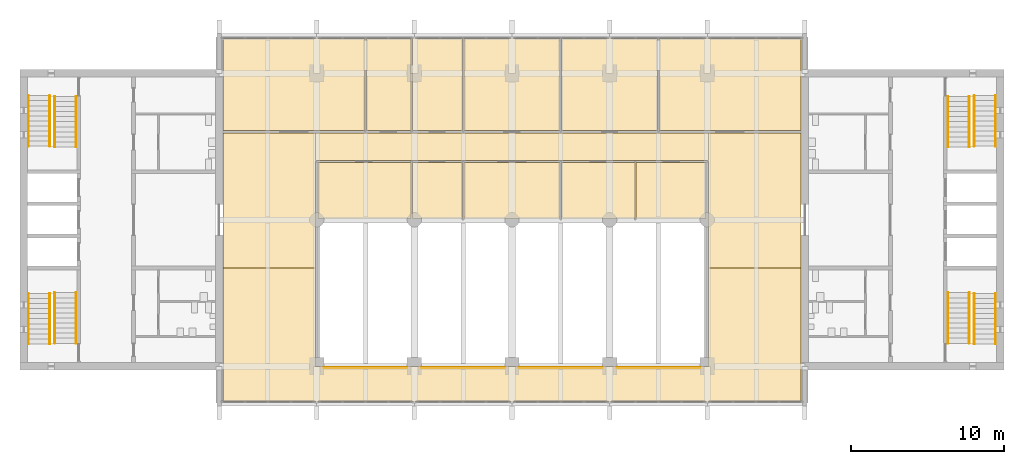
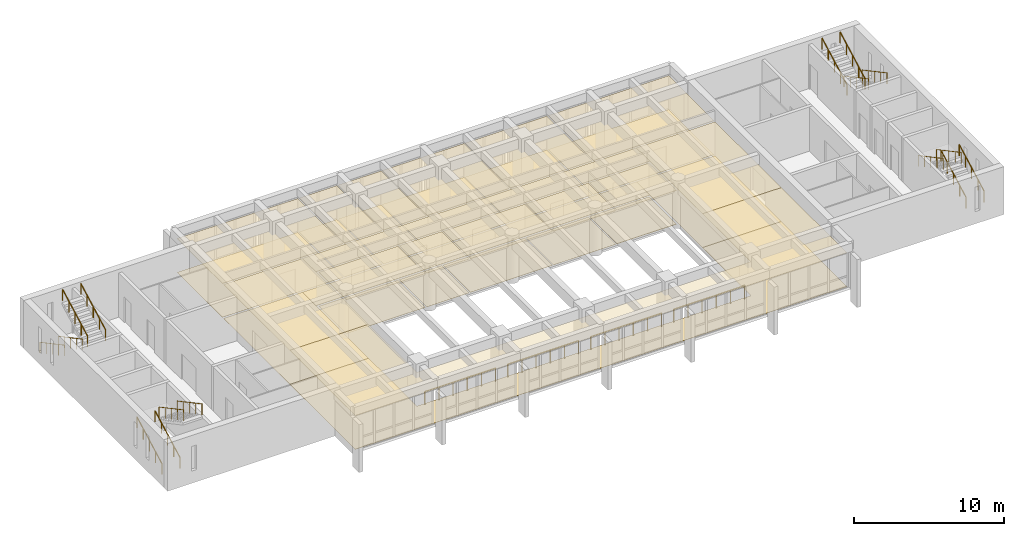
# One storey, part 14 of 15: 30 coverings, 20 railings.
"""IFC4 building model written with IfcOpenShell, lengths in metres."""

from ifc_helpers import new_model, si_unit, direction, frame, origin, origin_2d, place, context, subcontext, project, spatial, polyline, circle, outline, extrude, material, layer, layer_set, type_object, element, save


model = new_model("IFC4")

# Units and contexts
model_context = context("Model", 3, precision=1e-05, world=origin(), true_north=direction((0.0, 1.0)))
body_context = subcontext(model_context, "Body", "Model", "MODEL_VIEW")
ifc_project = project(units=[si_unit("LENGTHUNIT", "METRE"), si_unit("AREAUNIT", "SQUARE_METRE"), si_unit("VOLUMEUNIT", "CUBIC_METRE"), si_unit("PLANEANGLEUNIT", "RADIAN"), si_unit("MASSUNIT", "GRAM", prefix="KILO")], contexts=[model_context])

# Site, building, storey
site_placement = place(None, origin())
site = spatial("IfcSite", under=ifc_project, at=site_placement, CompositionType="ELEMENT")
building_placement = place(site_placement, origin())
building = spatial("IfcBuilding", under=site, at=building_placement, Name="Fogon Plaza Fire Station and Headquarters Tower", CompositionType="ELEMENT")
storey_placement = place(building_placement, frame((0.0, 0.0, 36.60009765625)))
storey = spatial("IfcBuildingStorey", under=building, at=storey_placement, Name="L09", CompositionType="ELEMENT", Elevation=36.60009765625)

# Railings
ifc_material_1 = material(Name="Stainless Steel", Category="steel")
railing_type_1 = type_object("IfcRailingType", Name="Guard Steel 1100", PredefinedType="GUARDRAIL", material=ifc_material_1)
for number, where, name in (
    (1, (32.47509765625, 33.5, 0.0), "Atrium guard 1"),
    (2, (38.875, 33.5, 0.0), "Atrium guard 2"),
):
    element("IfcRailing", number, at=place(storey_placement, frame(where)), inside=storey, type_object=railing_type_1, Name=name, PredefinedType="GUARDRAIL", context=body_context, shape_type="SweptSolid", body=[
        extrude(circle(Radius=0.02392578125, at=origin_2d()), frame((0.0, 0.0, 1.076171875), z_axis=(1.0, 0.0, 0.0), x_axis=(0.0, 1.0, 0.0)), (0.0, 0.0, 1.0), 5.449951171875),
        extrude(circle(Radius=0.02099609375, at=origin_2d()), origin(), (0.0, 0.0, 1.0), 1.052001953125),
        extrude(circle(Radius=0.02099609375, at=origin_2d()), frame((1.090087890625, 0.0, 0.0)), (0.0, 0.0, 1.0), 1.052001953125),
        extrude(circle(Radius=0.02099609375, at=origin_2d()), frame((2.179931640625, 0.0, 0.0)), (0.0, 0.0, 1.0), 1.052001953125),
        extrude(circle(Radius=0.02099609375, at=origin_2d()), frame((3.27001953125, 0.0, 0.0)), (0.0, 0.0, 1.0), 1.052001953125),
        extrude(circle(Radius=0.02099609375, at=origin_2d()), frame((4.35986328125, 0.0, 0.0)), (0.0, 0.0, 1.0), 1.052001953125),
        extrude(circle(Radius=0.02099609375, at=origin_2d()), frame((5.449951171875, 0.0, 0.0)), (0.0, 0.0, 1.0), 1.052001953125),
    ])
railing_1_placement = place(storey_placement, frame((45.27490234375, 33.5, 0.0)))
element("IfcRailing", 3, at=railing_1_placement, inside=storey, type_object=railing_type_1, Name="Atrium guard 3", PredefinedType="GUARDRAIL", context=body_context, shape_type="SweptSolid", body=[
    extrude(circle(Radius=0.02392578125, at=origin_2d()), frame((0.0, 0.0, 1.076171875), z_axis=(1.0, 0.0, 0.0), x_axis=(0.0, 1.0, 0.0)), (0.0, 0.0, 1.0), 5.4501953125),
    extrude(circle(Radius=0.02099609375, at=origin_2d()), origin(), (0.0, 0.0, 1.0), 1.052001953125),
    extrude(circle(Radius=0.02099609375, at=origin_2d()), frame((1.090087890625, 0.0, 0.0)), (0.0, 0.0, 1.0), 1.052001953125),
    extrude(circle(Radius=0.02099609375, at=origin_2d()), frame((2.18017578125, 0.0, 0.0)), (0.0, 0.0, 1.0), 1.052001953125),
    extrude(circle(Radius=0.02099609375, at=origin_2d()), frame((3.27001953125, 0.0, 0.0)), (0.0, 0.0, 1.0), 1.052001953125),
    extrude(circle(Radius=0.02099609375, at=origin_2d()), frame((4.360107421875, 0.0, 0.0)), (0.0, 0.0, 1.0), 1.052001953125),
    extrude(circle(Radius=0.02099609375, at=origin_2d()), frame((5.4501953125, 0.0, 0.0)), (0.0, 0.0, 1.0), 1.052001953125),
])
railing_2_placement = place(storey_placement, frame((51.675048828125, 33.5, 0.0)))
element("IfcRailing", 4, at=railing_2_placement, inside=storey, type_object=railing_type_1, Name="Atrium guard 4", PredefinedType="GUARDRAIL", context=body_context, shape_type="SweptSolid", body=[
    extrude(circle(Radius=0.02392578125, at=origin_2d()), frame((0.0, 0.0, 1.076171875), z_axis=(1.0, 0.0, 0.0), x_axis=(0.0, 1.0, 0.0)), (0.0, 0.0, 1.0), 5.449951171875),
    extrude(circle(Radius=0.02099609375, at=origin_2d()), origin(), (0.0, 0.0, 1.0), 1.052001953125),
    extrude(circle(Radius=0.02099609375, at=origin_2d()), frame((1.090087890625, 0.0, 0.0)), (0.0, 0.0, 1.0), 1.052001953125),
    extrude(circle(Radius=0.02099609375, at=origin_2d()), frame((2.179931640625, 0.0, 0.0)), (0.0, 0.0, 1.0), 1.052001953125),
    extrude(circle(Radius=0.02099609375, at=origin_2d()), frame((3.27001953125, 0.0, 0.0)), (0.0, 0.0, 1.0), 1.052001953125),
    extrude(circle(Radius=0.02099609375, at=origin_2d()), frame((4.35986328125, 0.0, 0.0)), (0.0, 0.0, 1.0), 1.052001953125),
    extrude(circle(Radius=0.02099609375, at=origin_2d()), frame((5.449951171875, 0.0, 0.0)), (0.0, 0.0, 1.0), 1.052001953125),
])
ifc_material_2 = material(Name="Steel", Category="steel")
railing_type_2 = type_object("IfcRailingType", Name="Stair Handrail 900", PredefinedType="HANDRAIL", material=ifc_material_2)
for number, where, name in (
    (5, (13.10009765625, 35.06005859375, 0.17724609375), "Handrail ST1"),
    (6, (14.5, 35.06005859375, 0.17724609375), "Handrail ST1"),
):
    element("IfcRailing", number, at=place(storey_placement, frame(where)), inside=storey, type_object=railing_type_2, Name=name, PredefinedType="HANDRAIL", context=body_context, shape_type="SweptSolid", body=[
        extrude(circle(Radius=0.02392578125, at=origin_2d()), frame((0.0, 0.0, 0.8759765625), z_axis=(0.0, 0.881829236777, 0.471568867892), x_axis=(-1.0, 0.0, 0.0)), (0.0, 0.0, 1.0), 3.75927734375),
        extrude(circle(Radius=0.02099609375, at=origin_2d()), origin(), (0.0, 0.0, 1.0), 0.851806640625),
        extrude(circle(Radius=0.02099609375, at=origin_2d()), frame((0.0, 0.82861328125, 0.443115234375)), (0.0, 0.0, 1.0), 0.851806640625),
        extrude(circle(Radius=0.02099609375, at=origin_2d()), frame((0.0, 1.657470703125, 0.88623046875)), (0.0, 0.0, 1.0), 0.851806640625),
        extrude(circle(Radius=0.02099609375, at=origin_2d()), frame((0.0, 2.486328125, 1.32958984375)), (0.0, 0.0, 1.0), 0.851806640625),
        extrude(circle(Radius=0.02099609375, at=origin_2d()), frame((0.0, 3.31494140625, 1.772705078125)), (0.0, 0.0, 1.0), 0.851806640625),
    ])
for number, where, name in (
    (7, (16.22509765625, 38.425048828125, 2.127197265625), "Handrail ST1"),
    (8, (14.824951171875, 38.425048828125, 2.127197265625), "Handrail ST1"),
):
    element("IfcRailing", number, at=place(storey_placement, frame(where)), inside=storey, type_object=railing_type_2, Name=name, PredefinedType="HANDRAIL", context=body_context, shape_type="SweptSolid", body=[
        extrude(circle(Radius=0.02392578125, at=origin_2d()), frame((0.0, 0.0, 0.8759765625), z_axis=(0.0, -0.881829236777, 0.471568867892), x_axis=(1.0, 0.0, 0.0)), (0.0, 0.0, 1.0), 3.75927734375),
        extrude(circle(Radius=0.02099609375, at=origin_2d()), origin(), (0.0, 0.0, 1.0), 0.851806640625),
        extrude(circle(Radius=0.02099609375, at=origin_2d()), frame((0.0, -0.82861328125, 0.443115234375)), (0.0, 0.0, 1.0), 0.851806640625),
        extrude(circle(Radius=0.02099609375, at=origin_2d()), frame((0.0, -1.657470703125, 0.88623046875)), (0.0, 0.0, 1.0), 0.851806640625),
        extrude(circle(Radius=0.02099609375, at=origin_2d()), frame((0.0, -2.486328125, 1.32958984375)), (0.0, 0.0, 1.0), 0.851806640625),
        extrude(circle(Radius=0.02099609375, at=origin_2d()), frame((0.0, -3.31494140625, 1.772705078125)), (0.0, 0.0, 1.0), 0.851806640625),
    ])
for number, where, name in (
    (9, (13.10009765625, 51.340087890625, 0.17724609375), "Handrail ST2"),
    (10, (14.5, 51.340087890625, 0.17724609375), "Handrail ST2"),
):
    element("IfcRailing", number, at=place(storey_placement, frame(where)), inside=storey, type_object=railing_type_2, Name=name, PredefinedType="HANDRAIL", context=body_context, shape_type="SweptSolid", body=[
        extrude(circle(Radius=0.02392578125, at=origin_2d()), frame((0.0, 0.0, 0.8759765625), z_axis=(0.0, -0.881843677922, 0.471541862095), x_axis=(1.0, 0.0, 0.0)), (0.0, 0.0, 1.0), 3.75927734375),
        extrude(circle(Radius=0.02099609375, at=origin_2d()), origin(), (0.0, 0.0, 1.0), 0.851806640625),
        extrude(circle(Radius=0.02099609375, at=origin_2d()), frame((0.0, -0.828857421875, 0.443115234375)), (0.0, 0.0, 1.0), 0.851806640625),
        extrude(circle(Radius=0.02099609375, at=origin_2d()), frame((0.0, -1.65771484375, 0.88623046875)), (0.0, 0.0, 1.0), 0.851806640625),
        extrude(circle(Radius=0.02099609375, at=origin_2d()), frame((0.0, -2.486328125, 1.32958984375)), (0.0, 0.0, 1.0), 0.851806640625),
        extrude(circle(Radius=0.02099609375, at=origin_2d()), frame((0.0, -3.315185546875, 1.772705078125)), (0.0, 0.0, 1.0), 0.851806640625),
    ])
for number, where, name in (
    (11, (16.22509765625, 47.97509765625, 2.127197265625), "Handrail ST2"),
    (12, (14.824951171875, 47.97509765625, 2.127197265625), "Handrail ST2"),
    (13, (76.5, 35.06005859375, 0.17724609375), "Handrail ST3"),
    (14, (75.10009765625, 35.06005859375, 0.17724609375), "Handrail ST3"),
):
    element("IfcRailing", number, at=place(storey_placement, frame(where)), inside=storey, type_object=railing_type_2, Name=name, PredefinedType="HANDRAIL", context=body_context, shape_type="SweptSolid", body=[
        extrude(circle(Radius=0.02392578125, at=origin_2d()), frame((0.0, 0.0, 0.8759765625), z_axis=(0.0, 0.881829236777, 0.471568867892), x_axis=(-1.0, 0.0, 0.0)), (0.0, 0.0, 1.0), 3.75927734375),
        extrude(circle(Radius=0.02099609375, at=origin_2d()), origin(), (0.0, 0.0, 1.0), 0.851806640625),
        extrude(circle(Radius=0.02099609375, at=origin_2d()), frame((0.0, 0.82861328125, 0.443115234375)), (0.0, 0.0, 1.0), 0.851806640625),
        extrude(circle(Radius=0.02099609375, at=origin_2d()), frame((0.0, 1.657470703125, 0.88623046875)), (0.0, 0.0, 1.0), 0.851806640625),
        extrude(circle(Radius=0.02099609375, at=origin_2d()), frame((0.0, 2.486328125, 1.32958984375)), (0.0, 0.0, 1.0), 0.851806640625),
        extrude(circle(Radius=0.02099609375, at=origin_2d()), frame((0.0, 3.31494140625, 1.772705078125)), (0.0, 0.0, 1.0), 0.851806640625),
    ])
for number, where, name in (
    (15, (73.375, 38.425048828125, 2.127197265625), "Handrail ST3"),
    (16, (74.77490234375, 38.425048828125, 2.127197265625), "Handrail ST3"),
):
    element("IfcRailing", number, at=place(storey_placement, frame(where)), inside=storey, type_object=railing_type_2, Name=name, PredefinedType="HANDRAIL", context=body_context, shape_type="SweptSolid", body=[
        extrude(circle(Radius=0.02392578125, at=origin_2d()), frame((0.0, 0.0, 0.8759765625), z_axis=(0.0, -0.881829236777, 0.471568867892), x_axis=(1.0, 0.0, 0.0)), (0.0, 0.0, 1.0), 3.75927734375),
        extrude(circle(Radius=0.02099609375, at=origin_2d()), origin(), (0.0, 0.0, 1.0), 0.851806640625),
        extrude(circle(Radius=0.02099609375, at=origin_2d()), frame((0.0, -0.82861328125, 0.443115234375)), (0.0, 0.0, 1.0), 0.851806640625),
        extrude(circle(Radius=0.02099609375, at=origin_2d()), frame((0.0, -1.657470703125, 0.88623046875)), (0.0, 0.0, 1.0), 0.851806640625),
        extrude(circle(Radius=0.02099609375, at=origin_2d()), frame((0.0, -2.486328125, 1.32958984375)), (0.0, 0.0, 1.0), 0.851806640625),
        extrude(circle(Radius=0.02099609375, at=origin_2d()), frame((0.0, -3.31494140625, 1.772705078125)), (0.0, 0.0, 1.0), 0.851806640625),
    ])
for number, where, name in (
    (17, (76.5, 51.340087890625, 0.17724609375), "Handrail ST4"),
    (18, (75.10009765625, 51.340087890625, 0.17724609375), "Handrail ST4"),
):
    element("IfcRailing", number, at=place(storey_placement, frame(where)), inside=storey, type_object=railing_type_2, Name=name, PredefinedType="HANDRAIL", context=body_context, shape_type="SweptSolid", body=[
        extrude(circle(Radius=0.02392578125, at=origin_2d()), frame((0.0, 0.0, 0.8759765625), z_axis=(0.0, -0.881843677922, 0.471541862095), x_axis=(1.0, 0.0, 0.0)), (0.0, 0.0, 1.0), 3.75927734375),
        extrude(circle(Radius=0.02099609375, at=origin_2d()), origin(), (0.0, 0.0, 1.0), 0.851806640625),
        extrude(circle(Radius=0.02099609375, at=origin_2d()), frame((0.0, -0.828857421875, 0.443115234375)), (0.0, 0.0, 1.0), 0.851806640625),
        extrude(circle(Radius=0.02099609375, at=origin_2d()), frame((0.0, -1.65771484375, 0.88623046875)), (0.0, 0.0, 1.0), 0.851806640625),
        extrude(circle(Radius=0.02099609375, at=origin_2d()), frame((0.0, -2.486328125, 1.32958984375)), (0.0, 0.0, 1.0), 0.851806640625),
        extrude(circle(Radius=0.02099609375, at=origin_2d()), frame((0.0, -3.315185546875, 1.772705078125)), (0.0, 0.0, 1.0), 0.851806640625),
    ])
for number, where, name in (
    (19, (73.375, 47.97509765625, 2.127197265625), "Handrail ST4"),
    (20, (74.77490234375, 47.97509765625, 2.127197265625), "Handrail ST4"),
):
    element("IfcRailing", number, at=place(storey_placement, frame(where)), inside=storey, type_object=railing_type_2, Name=name, PredefinedType="HANDRAIL", context=body_context, shape_type="SweptSolid", body=[
        extrude(circle(Radius=0.02392578125, at=origin_2d()), frame((0.0, 0.0, 0.8759765625), z_axis=(0.0, 0.881829236777, 0.471568867892), x_axis=(-1.0, 0.0, 0.0)), (0.0, 0.0, 1.0), 3.75927734375),
        extrude(circle(Radius=0.02099609375, at=origin_2d()), origin(), (0.0, 0.0, 1.0), 0.851806640625),
        extrude(circle(Radius=0.02099609375, at=origin_2d()), frame((0.0, 0.82861328125, 0.443115234375)), (0.0, 0.0, 1.0), 0.851806640625),
        extrude(circle(Radius=0.02099609375, at=origin_2d()), frame((0.0, 1.657470703125, 0.88623046875)), (0.0, 0.0, 1.0), 0.851806640625),
        extrude(circle(Radius=0.02099609375, at=origin_2d()), frame((0.0, 2.486328125, 1.32958984375)), (0.0, 0.0, 1.0), 0.851806640625),
        extrude(circle(Radius=0.02099609375, at=origin_2d()), frame((0.0, 3.31494140625, 1.772705078125)), (0.0, 0.0, 1.0), 0.851806640625),
    ])

# Coverings
ifc_material_3 = material(Name="Acoustic ceiling tile")
ifc_layer_1 = layer(ifc_material_3, 0.050048828125)
ifc_layer_set_1 = layer_set([ifc_layer_1], Name="Acoustic ceiling tile")
covering_type_1 = type_object("IfcCoveringType", Name="Tower acoustic ceiling", PredefinedType="CEILING", material=ifc_layer_set_1)
covering_1_placement = place(storey_placement, frame((0.0, 0.0, 2.72998046875)))
element("IfcCovering", 21, at=covering_1_placement, inside=storey, type_object=covering_type_1, Name="cov-cl-L09-04", PredefinedType="CEILING", context=body_context, shape_type="SweptSolid", body=[
    extrude(outline(polyline([(52.8525390625, 43.27490234375), (52.8525390625, 46.949951171875), (48.03759765625, 46.949951171875), (48.03759765625, 43.27490234375), (52.8525390625, 43.27490234375)])), origin(), (0.0, 0.0, 1.0), 0.0498046875),
])
covering_2_placement = place(storey_placement, frame((0.0, 0.0, 2.72998046875)))
element("IfcCovering", 22, at=covering_2_placement, inside=storey, type_object=covering_type_1, Name="cov-cl-L09-09", PredefinedType="CEILING", context=body_context, shape_type="SweptSolid", body=[
    extrude(outline(polyline([(47.96240234375, 49.050048828125), (47.96240234375, 55.10009765625), (41.637451171875, 55.10009765625), (41.637451171875, 49.050048828125), (47.96240234375, 49.050048828125)])), origin(), (0.0, 0.0, 1.0), 0.0498046875),
])
ifc_material_4 = material(Name="Carpet tile")
ifc_layer_2 = layer(ifc_material_4, 0.011962890625)
ifc_layer_set_2 = layer_set([ifc_layer_2], Name="Carpet tile")
covering_type_2 = type_object("IfcCoveringType", Name="Tower carpet tile floor", PredefinedType="FLOORING", material=ifc_layer_set_2)
covering_3_placement = place(storey_placement, origin())
element("IfcCovering", 23, at=covering_3_placement, inside=storey, type_object=covering_type_2, Name="cov-fl-L09-01", PredefinedType="FLOORING", context=body_context, shape_type="SweptSolid", body=[
    extrude(outline(polyline([(38.169921875, 43.27490234375), (38.169921875, 46.949951171875), (32.074951171875, 46.949951171875), (32.074951171875, 43.27490234375), (38.169921875, 43.27490234375)])), origin(), (0.0, 0.0, 1.0), 0.011962890625),
])
covering_4_placement = place(storey_placement, origin())
element("IfcCovering", 24, at=covering_4_placement, inside=storey, type_object=covering_type_2, Name="cov-fl-L09-02", PredefinedType="FLOORING", context=body_context, shape_type="SweptSolid", body=[
    extrude(outline(polyline([(41.550048828125, 43.27490234375), (41.550048828125, 46.949951171875), (38.27001953125, 46.949951171875), (38.27001953125, 43.27490234375), (41.550048828125, 43.27490234375)])), origin(), (0.0, 0.0, 1.0), 0.011962890625),
])
covering_5_placement = place(storey_placement, origin())
element("IfcCovering", 25, at=covering_5_placement, inside=storey, type_object=covering_type_2, Name="cov-fl-L09-03", PredefinedType="FLOORING", context=body_context, shape_type="SweptSolid", body=[
    extrude(outline(polyline([(47.96240234375, 43.27490234375), (47.96240234375, 46.949951171875), (41.64990234375, 46.949951171875), (41.64990234375, 43.27490234375), (47.96240234375, 43.27490234375)])), origin(), (0.0, 0.0, 1.0), 0.011962890625),
])
covering_6_placement = place(storey_placement, origin())
element("IfcCovering", 26, at=covering_6_placement, inside=storey, type_object=covering_type_2, Name="cov-fl-L09-04", PredefinedType="FLOORING", context=body_context, shape_type="SweptSolid", body=[
    extrude(outline(polyline([(52.8525390625, 43.27490234375), (52.8525390625, 46.949951171875), (48.03759765625, 46.949951171875), (48.03759765625, 43.27490234375), (52.8525390625, 43.27490234375)])), origin(), (0.0, 0.0, 1.0), 0.011962890625),
])
covering_7_placement = place(storey_placement, origin())
element("IfcCovering", 27, at=covering_7_placement, inside=storey, type_object=covering_type_2, Name="cov-fl-L09-06", PredefinedType="FLOORING", context=body_context, shape_type="SweptSolid", body=[
    extrude(outline(polyline([(35.14990234375, 49.050048828125), (35.14990234375, 55.10009765625), (25.85009765625, 55.10009765625), (25.85009765625, 49.050048828125), (35.14990234375, 49.050048828125)])), origin(), (0.0, 0.0, 1.0), 0.011962890625),
])
covering_8_placement = place(storey_placement, origin())
element("IfcCovering", 28, at=covering_8_placement, inside=storey, type_object=covering_type_2, Name="cov-fl-L09-07", PredefinedType="FLOORING", context=body_context, shape_type="SweptSolid", body=[
    extrude(outline(polyline([(38.169921875, 49.050048828125), (38.169921875, 55.10009765625), (35.25, 55.10009765625), (35.25, 49.050048828125), (38.169921875, 49.050048828125)])), origin(), (0.0, 0.0, 1.0), 0.011962890625),
])
covering_9_placement = place(storey_placement, origin())
element("IfcCovering", 29, at=covering_9_placement, inside=storey, type_object=covering_type_2, Name="cov-fl-L09-08", PredefinedType="FLOORING", context=body_context, shape_type="SweptSolid", body=[
    extrude(outline(polyline([(41.5625, 49.050048828125), (41.5625, 55.10009765625), (38.27001953125, 55.10009765625), (38.27001953125, 49.050048828125), (41.5625, 49.050048828125)])), origin(), (0.0, 0.0, 1.0), 0.011962890625),
])
covering_10_placement = place(storey_placement, origin())
element("IfcCovering", 30, at=covering_10_placement, inside=storey, type_object=covering_type_2, Name="cov-fl-L09-09", PredefinedType="FLOORING", context=body_context, shape_type="SweptSolid", body=[
    extrude(outline(polyline([(47.96240234375, 49.050048828125), (47.96240234375, 55.10009765625), (41.637451171875, 55.10009765625), (41.637451171875, 49.050048828125), (47.96240234375, 49.050048828125)])), origin(), (0.0, 0.0, 1.0), 0.011962890625),
])
covering_11_placement = place(storey_placement, origin())
element("IfcCovering", 31, at=covering_11_placement, inside=storey, type_object=covering_type_2, Name="cov-fl-L09-10", PredefinedType="FLOORING", context=body_context, shape_type="SweptSolid", body=[
    extrude(outline(polyline([(54.35009765625, 49.050048828125), (54.35009765625, 55.10009765625), (48.03759765625, 55.10009765625), (48.03759765625, 49.050048828125), (54.35009765625, 49.050048828125)])), origin(), (0.0, 0.0, 1.0), 0.011962890625),
])
covering_12_placement = place(storey_placement, origin())
element("IfcCovering", 32, at=covering_12_placement, inside=storey, type_object=covering_type_2, Name="cov-fl-L09-11", PredefinedType="FLOORING", context=body_context, shape_type="SweptSolid", body=[
    extrude(outline(polyline([(63.75, 49.050048828125), (63.75, 55.10009765625), (54.449951171875, 55.10009765625), (54.449951171875, 49.050048828125), (63.75, 49.050048828125)])), origin(), (0.0, 0.0, 1.0), 0.011962890625),
])
ifc_material_5 = material(Name="Heavy duty carpet tile")
ifc_layer_3 = layer(ifc_material_5, 0.013916015625)
ifc_layer_set_3 = layer_set([ifc_layer_3], Name="Heavy duty carpet tile")
covering_type_3 = type_object("IfcCoveringType", Name="Tower corridor carpet floor", PredefinedType="FLOORING", material=ifc_layer_set_3)
covering_13_placement = place(storey_placement, origin())
element("IfcCovering", 33, at=covering_13_placement, inside=storey, type_object=covering_type_3, Name="cov-fl-L09-12", PredefinedType="FLOORING", context=body_context, shape_type="SweptSolid", body=[
    extrude(outline(polyline([(31.925048828125, 40.050048828125), (31.925048828125, 48.89990234375), (25.85009765625, 48.89990234375), (25.85009765625, 40.050048828125), (31.925048828125, 40.050048828125)])), origin(), (0.0, 0.0, 1.0), 0.013916015625),
])
covering_14_placement = place(storey_placement, origin())
element("IfcCovering", 34, at=covering_14_placement, inside=storey, type_object=covering_type_3, Name="cov-fl-L09-13", PredefinedType="FLOORING", context=body_context, shape_type="SweptSolid", body=[
    extrude(outline(polyline([(63.75, 40.050048828125), (63.75, 48.89990234375), (57.675048828125, 48.89990234375), (57.675048828125, 40.050048828125), (63.75, 40.050048828125)])), origin(), (0.0, 0.0, 1.0), 0.013916015625),
])
covering_15_placement = place(storey_placement, origin())
element("IfcCovering", 35, at=covering_15_placement, inside=storey, type_object=covering_type_3, Name="cov-fl-L09-14", PredefinedType="FLOORING", context=body_context, shape_type="SweptSolid", body=[
    extrude(outline(polyline([(57.675048828125, 47.10009765625), (57.675048828125, 48.89990234375), (31.925048828125, 48.89990234375), (31.925048828125, 47.10009765625), (57.675048828125, 47.10009765625)])), origin(), (0.0, 0.0, 1.0), 0.013916015625),
])
covering_16_placement = place(storey_placement, origin())
element("IfcCovering", 36, at=covering_16_placement, inside=storey, type_object=covering_type_3, Name="cov-fl-L09-15", PredefinedType="FLOORING", context=body_context, shape_type="SweptSolid", body=[
    extrude(outline(polyline([(63.75, 31.300048828125), (63.75, 40.050048828125), (57.675048828125, 40.050048828125), (57.675048828125, 33.60009765625), (31.925048828125, 33.60009765625), (31.925048828125, 40.050048828125), (25.85009765625, 40.050048828125), (25.85009765625, 31.300048828125), (63.75, 31.300048828125)])), origin(), (0.0, 0.0, 1.0), 0.013916015625),
])
ifc_material_6 = material(Name="Plasterboard ceiling")
ifc_layer_4 = layer(ifc_material_6, 0.030029296875)
ifc_layer_set_4 = layer_set([ifc_layer_4], Name="Plasterboard ceiling")
covering_type_4 = type_object("IfcCoveringType", Name="Tower plasterboard ceiling", PredefinedType="CEILING", material=ifc_layer_set_4)
covering_17_placement = place(storey_placement, frame((0.0, 0.0, 2.75)))
element("IfcCovering", 37, at=covering_17_placement, inside=storey, type_object=covering_type_4, Name="cov-cl-L09-12", PredefinedType="CEILING", context=body_context, shape_type="SweptSolid", body=[
    extrude(outline(polyline([(31.925048828125, 40.050048828125), (31.925048828125, 48.89990234375), (25.85009765625, 48.89990234375), (25.85009765625, 40.050048828125), (31.925048828125, 40.050048828125)])), origin(), (0.0, 0.0, 1.0), 0.02978515625),
])
covering_18_placement = place(storey_placement, frame((0.0, 0.0, 2.75)))
element("IfcCovering", 38, at=covering_18_placement, inside=storey, type_object=covering_type_4, Name="cov-cl-L09-13", PredefinedType="CEILING", context=body_context, shape_type="SweptSolid", body=[
    extrude(outline(polyline([(63.75, 40.050048828125), (63.75, 48.89990234375), (57.675048828125, 48.89990234375), (57.675048828125, 40.050048828125), (63.75, 40.050048828125)])), origin(), (0.0, 0.0, 1.0), 0.02978515625),
])
covering_19_placement = place(storey_placement, frame((0.0, 0.0, 2.75)))
element("IfcCovering", 39, at=covering_19_placement, inside=storey, type_object=covering_type_4, Name="cov-cl-L09-14", PredefinedType="CEILING", context=body_context, shape_type="SweptSolid", body=[
    extrude(outline(polyline([(57.675048828125, 47.10009765625), (57.675048828125, 48.89990234375), (31.925048828125, 48.89990234375), (31.925048828125, 47.10009765625), (57.675048828125, 47.10009765625)])), origin(), (0.0, 0.0, 1.0), 0.02978515625),
])
covering_20_placement = place(storey_placement, frame((0.0, 0.0, 2.75)))
element("IfcCovering", 40, at=covering_20_placement, inside=storey, type_object=covering_type_4, Name="cov-cl-L09-15", PredefinedType="CEILING", context=body_context, shape_type="SweptSolid", body=[
    extrude(outline(polyline([(63.75, 31.300048828125), (63.75, 40.050048828125), (57.675048828125, 40.050048828125), (57.675048828125, 33.60009765625), (31.925048828125, 33.60009765625), (31.925048828125, 40.050048828125), (25.85009765625, 40.050048828125), (25.85009765625, 31.300048828125), (63.75, 31.300048828125)])), origin(), (0.0, 0.0, 1.0), 0.02978515625),
])
ifc_material_7 = material(Name="Sealed cement screed")
ifc_layer_5 = layer(ifc_material_7, 0.030029296875)
ifc_layer_set_5 = layer_set([ifc_layer_5], Name="Sealed cement screed")
covering_type_5 = type_object("IfcCoveringType", Name="Tower sealed screed floor", PredefinedType="FLOORING", material=ifc_layer_set_5)
covering_21_placement = place(storey_placement, origin())
element("IfcCovering", 41, at=covering_21_placement, inside=storey, type_object=covering_type_5, Name="cov-fl-L09-05", PredefinedType="FLOORING", context=body_context, shape_type="SweptSolid", body=[
    extrude(outline(polyline([(57.52490234375, 43.27490234375), (57.52490234375, 46.949951171875), (52.927490234375, 46.949951171875), (52.927490234375, 43.27490234375), (57.52490234375, 43.27490234375)])), origin(), (0.0, 0.0, 1.0), 0.02978515625),
])
ifc_material_8 = material(Name="Mineral fibre ceiling tile")
ifc_layer_6 = layer(ifc_material_8, 0.0400390625)
ifc_layer_set_6 = layer_set([ifc_layer_6], Name="Mineral fibre ceiling tile")
covering_type_6 = type_object("IfcCoveringType", Name="Tower suspended tile ceiling", PredefinedType="CEILING", material=ifc_layer_set_6)
covering_22_placement = place(storey_placement, frame((0.0, 0.0, 2.739990234375)))
element("IfcCovering", 42, at=covering_22_placement, inside=storey, type_object=covering_type_6, Name="cov-cl-L09-01", PredefinedType="CEILING", context=body_context, shape_type="SweptSolid", body=[
    extrude(outline(polyline([(38.169921875, 43.27490234375), (38.169921875, 46.949951171875), (32.074951171875, 46.949951171875), (32.074951171875, 43.27490234375), (38.169921875, 43.27490234375)])), origin(), (0.0, 0.0, 1.0), 0.039794921875),
])
covering_23_placement = place(storey_placement, frame((0.0, 0.0, 2.739990234375)))
element("IfcCovering", 43, at=covering_23_placement, inside=storey, type_object=covering_type_6, Name="cov-cl-L09-02", PredefinedType="CEILING", context=body_context, shape_type="SweptSolid", body=[
    extrude(outline(polyline([(41.550048828125, 43.27490234375), (41.550048828125, 46.949951171875), (38.27001953125, 46.949951171875), (38.27001953125, 43.27490234375), (41.550048828125, 43.27490234375)])), origin(), (0.0, 0.0, 1.0), 0.039794921875),
])
covering_24_placement = place(storey_placement, frame((0.0, 0.0, 2.739990234375)))
element("IfcCovering", 44, at=covering_24_placement, inside=storey, type_object=covering_type_6, Name="cov-cl-L09-03", PredefinedType="CEILING", context=body_context, shape_type="SweptSolid", body=[
    extrude(outline(polyline([(47.96240234375, 43.27490234375), (47.96240234375, 46.949951171875), (41.64990234375, 46.949951171875), (41.64990234375, 43.27490234375), (47.96240234375, 43.27490234375)])), origin(), (0.0, 0.0, 1.0), 0.039794921875),
])
covering_25_placement = place(storey_placement, frame((0.0, 0.0, 2.739990234375)))
element("IfcCovering", 45, at=covering_25_placement, inside=storey, type_object=covering_type_6, Name="cov-cl-L09-05", PredefinedType="CEILING", context=body_context, shape_type="SweptSolid", body=[
    extrude(outline(polyline([(57.52490234375, 43.27490234375), (57.52490234375, 46.949951171875), (52.927490234375, 46.949951171875), (52.927490234375, 43.27490234375), (57.52490234375, 43.27490234375)])), origin(), (0.0, 0.0, 1.0), 0.039794921875),
])
covering_26_placement = place(storey_placement, frame((0.0, 0.0, 2.739990234375)))
element("IfcCovering", 46, at=covering_26_placement, inside=storey, type_object=covering_type_6, Name="cov-cl-L09-06", PredefinedType="CEILING", context=body_context, shape_type="SweptSolid", body=[
    extrude(outline(polyline([(35.14990234375, 49.050048828125), (35.14990234375, 55.10009765625), (25.85009765625, 55.10009765625), (25.85009765625, 49.050048828125), (35.14990234375, 49.050048828125)])), origin(), (0.0, 0.0, 1.0), 0.039794921875),
])
covering_27_placement = place(storey_placement, frame((0.0, 0.0, 2.739990234375)))
element("IfcCovering", 47, at=covering_27_placement, inside=storey, type_object=covering_type_6, Name="cov-cl-L09-07", PredefinedType="CEILING", context=body_context, shape_type="SweptSolid", body=[
    extrude(outline(polyline([(38.169921875, 49.050048828125), (38.169921875, 55.10009765625), (35.25, 55.10009765625), (35.25, 49.050048828125), (38.169921875, 49.050048828125)])), origin(), (0.0, 0.0, 1.0), 0.039794921875),
])
covering_28_placement = place(storey_placement, frame((0.0, 0.0, 2.739990234375)))
element("IfcCovering", 48, at=covering_28_placement, inside=storey, type_object=covering_type_6, Name="cov-cl-L09-08", PredefinedType="CEILING", context=body_context, shape_type="SweptSolid", body=[
    extrude(outline(polyline([(41.5625, 49.050048828125), (41.5625, 55.10009765625), (38.27001953125, 55.10009765625), (38.27001953125, 49.050048828125), (41.5625, 49.050048828125)])), origin(), (0.0, 0.0, 1.0), 0.039794921875),
])
covering_29_placement = place(storey_placement, frame((0.0, 0.0, 2.739990234375)))
element("IfcCovering", 49, at=covering_29_placement, inside=storey, type_object=covering_type_6, Name="cov-cl-L09-10", PredefinedType="CEILING", context=body_context, shape_type="SweptSolid", body=[
    extrude(outline(polyline([(54.35009765625, 49.050048828125), (54.35009765625, 55.10009765625), (48.03759765625, 55.10009765625), (48.03759765625, 49.050048828125), (54.35009765625, 49.050048828125)])), origin(), (0.0, 0.0, 1.0), 0.039794921875),
])
covering_30_placement = place(storey_placement, frame((0.0, 0.0, 2.739990234375)))
element("IfcCovering", 50, at=covering_30_placement, inside=storey, type_object=covering_type_6, Name="cov-cl-L09-11", PredefinedType="CEILING", context=body_context, shape_type="SweptSolid", body=[
    extrude(outline(polyline([(63.75, 49.050048828125), (63.75, 55.10009765625), (54.449951171875, 55.10009765625), (54.449951171875, 49.050048828125), (63.75, 49.050048828125)])), origin(), (0.0, 0.0, 1.0), 0.039794921875),
])

save(model, "model.ifc")
